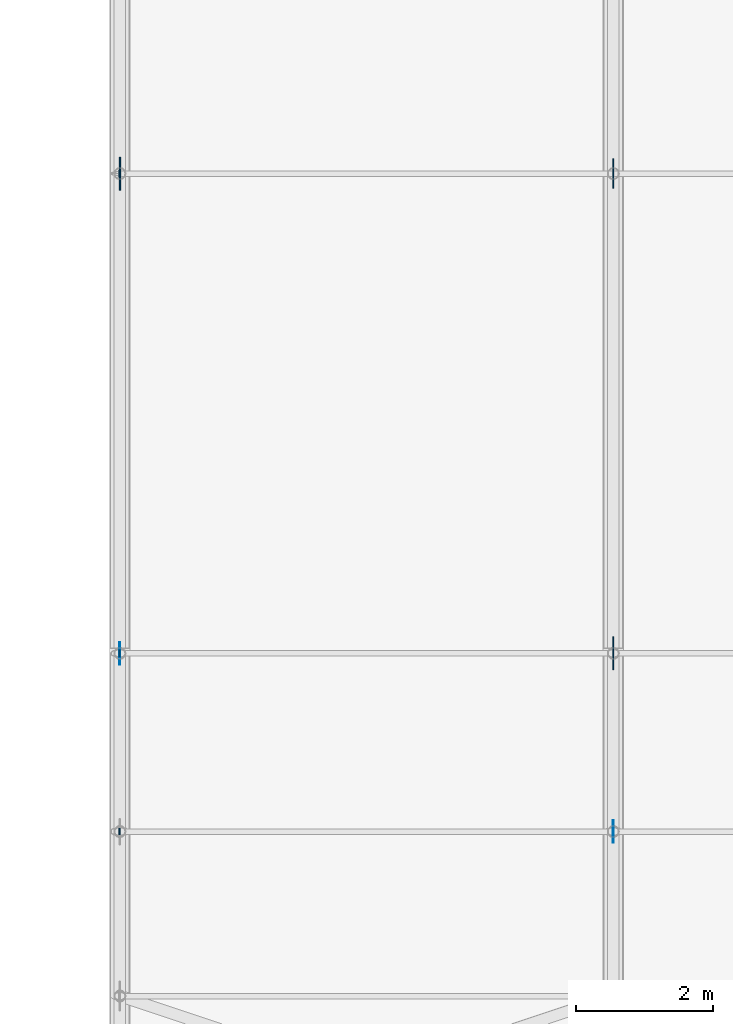
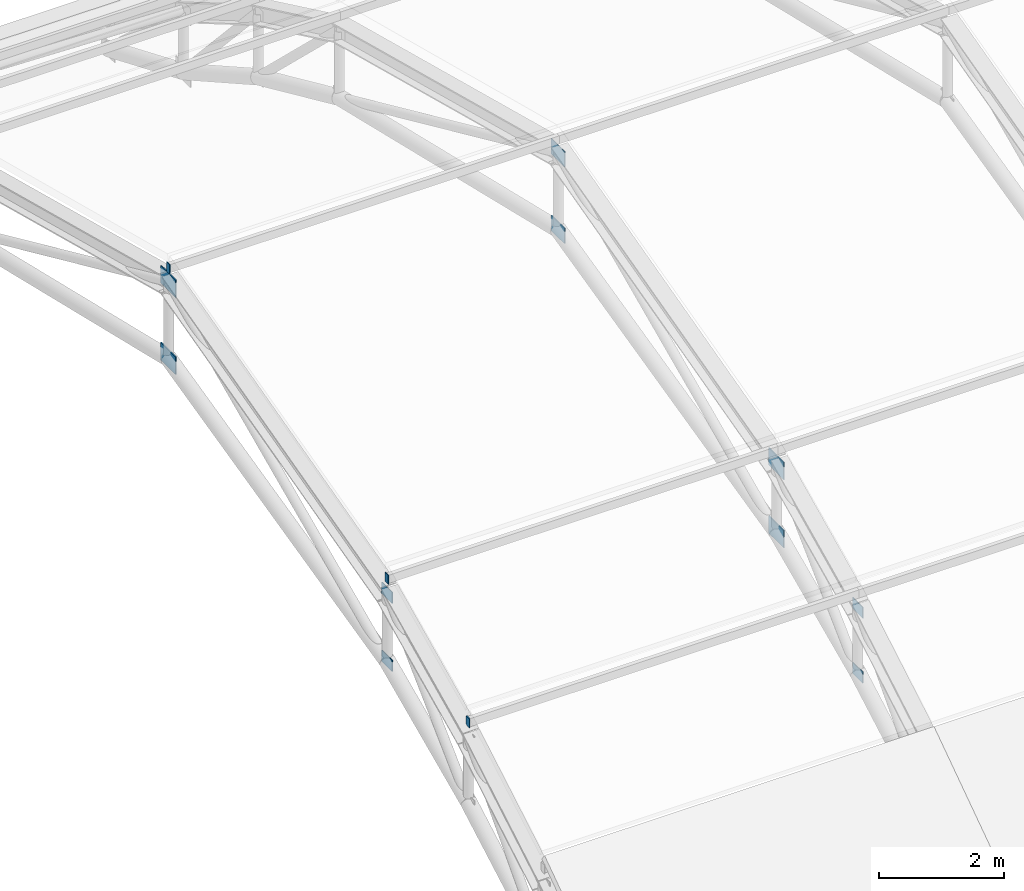
# One storey, part 39 of 63: 13 plates.
"""IFC4 building model written with IfcOpenShell, lengths in metres."""

from ifc_helpers import new_model, si_unit, direction, frame, origin, origin_2d, place, context, subcontext, project, spatial, rectangle, extrude, material, layer, layer_set, type_object, element, save


model = new_model("IFC4")

# Units and contexts
model_context = context("Model", 3, precision=1e-05, world=origin(), true_north=direction((0.0, 1.0)))
body_context = subcontext(model_context, "Body", "Model", "MODEL_VIEW")
ifc_project = project(units=[si_unit("LENGTHUNIT", "METRE"), si_unit("AREAUNIT", "SQUARE_METRE"), si_unit("VOLUMEUNIT", "CUBIC_METRE"), si_unit("PLANEANGLEUNIT", "RADIAN"), si_unit("MASSUNIT", "GRAM", prefix="KILO")], contexts=[model_context])

# Site, building, storey
site_placement = place(None, origin())
site = spatial("IfcSite", under=ifc_project, at=site_placement, CompositionType="ELEMENT")
building_placement = place(site_placement, origin())
building = spatial("IfcBuilding", under=site, at=building_placement, Name="Solvadek Multi-Sports Hall", CompositionType="ELEMENT")
storey_placement = place(building_placement, frame((0.0, 0.0, 19.199951171875)))
storey = spatial("IfcBuildingStorey", under=building, at=storey_placement, Name="RF", CompositionType="ELEMENT", Elevation=19.199951171875)

# Plates
ifc_material = material(Name="Steel E350 (350 MPa)", Category="steel")
ifc_layer_1 = layer(ifc_material, 0.01611328125, Name="Steel E350 (350 MPa)")
ifc_layer_set_1 = layer_set([ifc_layer_1], Name="Steel E350 (350 MPa)")
plate_type_1 = type_object("IfcPlateType", Name="STR-PLT-CAP16", PredefinedType="USERDEFINED", material=ifc_layer_set_1)
for number, where, z_axis, x_axis, name in (
    (1, (21.595947265625, 54.0, -0.97216796875), (0.0, 0.0, 1.0), (1.0, 0.0, 0.0), "V4 Purlin End Cap Plate #33"),
    (2, (21.595947265625, 56.60009765625, 0.25634765625), (0.0, 0.0, 1.0), (1.0, 0.0, 0.0), "V4 Purlin End Cap Plate #34"),
    (3, (21.595947265625, 63.60009765625, 2.080078125), (0.0, 0.0, 1.0), (1.0, 0.0, 0.0), "V4 Purlin End Cap Plate #35"),
):
    element("IfcPlate", number, at=place(storey_placement, frame(where, z_axis=z_axis, x_axis=x_axis)), inside=storey, type_object=plate_type_1, Name=name, ObjectType="BASE_PLATE", PredefinedType="USERDEFINED", context=body_context, shape_type="SweptSolid", body=[
        extrude(rectangle(XDim=0.01611328125, YDim=0.10009765625, at=origin_2d()), origin(), (0.0, 0.0, 1.0), 0.179931640625),
    ])
ifc_layer_2 = layer(ifc_material, 0.013916015625, Name="Steel E350 (350 MPa)")
ifc_layer_set_2 = layer_set([ifc_layer_2], Name="Steel E350 (350 MPa)")
plate_type_2 = type_object("IfcPlateType", Name="STR-PLT-GUS330", PredefinedType="USERDEFINED", material=ifc_layer_set_2)
for number, where, z_axis, x_axis, name in (
    (4, (21.60009765625, 56.60009765625, -0.04736328125), (0.0, 0.0, 1.0), (0.0, 1.0, 0.0), "V4 Truss Top Gusset Plate #157"),
    (5, (21.60009765625, 56.60009765625, -1.376953125), (0.0, 0.0, 1.0), (0.0, 1.0, 0.0), "V4 Truss Bottom Gusset Plate #158"),
    (6, (28.800048828125, 54.0, -1.28515625), (0.0, 0.0, 1.0), (0.0, 1.0, 0.0), "V4 Truss Top Gusset Plate #173"),
    (7, (28.800048828125, 54.0, -2.5517578125), (0.0, 0.0, 1.0), (0.0, 1.0, 0.0), "V4 Truss Bottom Gusset Plate #174"),
):
    element("IfcPlate", number, at=place(storey_placement, frame(where, z_axis=z_axis, x_axis=x_axis)), inside=storey, type_object=plate_type_2, Name=name, ObjectType="GUSSET_PLATE", PredefinedType="USERDEFINED", context=body_context, shape_type="SweptSolid", body=[
        extrude(rectangle(XDim=0.330078125, YDim=0.013916015625, at=origin_2d()), origin(), (0.0, 0.0, 1.0), 0.219970703125),
    ])
ifc_layer_3 = layer(ifc_material, 0.01806640625, Name="Steel E350 (350 MPa)")
ifc_layer_set_3 = layer_set([ifc_layer_3], Name="Steel E350 (350 MPa)")
plate_type_3 = type_object("IfcPlateType", Name="STR-PLT-GUS430", PredefinedType="USERDEFINED", material=ifc_layer_set_3)
for number, where, z_axis, x_axis, name in (
    (8, (28.800048828125, 63.60009765625, 1.75), (0.0, 0.0, 1.0), (0.0, 1.0, 0.0), "V4 Truss Top Gusset Plate #177"),
    (9, (28.800048828125, 63.60009765625, 0.25), (0.0, 0.0, 1.0), (0.0, 1.0, 0.0), "V4 Truss Bottom Gusset Plate #178"),
):
    element("IfcPlate", number, at=place(storey_placement, frame(where, z_axis=z_axis, x_axis=x_axis)), inside=storey, type_object=plate_type_3, Name=name, ObjectType="GUSSET_PLATE", PredefinedType="USERDEFINED", context=body_context, shape_type="SweptSolid", body=[
        extrude(rectangle(XDim=0.429931640625, YDim=0.01806640625, at=origin_2d()), origin(), (0.0, 0.0, 1.0), 0.300048828125),
    ])
ifc_layer_4 = layer(ifc_material, 0.02001953125, Name="Steel E350 (350 MPa)")
ifc_layer_set_4 = layer_set([ifc_layer_4], Name="Steel E350 (350 MPa)")
plate_type_4 = type_object("IfcPlateType", Name="STR-PLT-GUS480", PredefinedType="USERDEFINED", material=ifc_layer_set_4)
for number, where, z_axis, x_axis, name in (
    (10, (21.60009765625, 63.60009765625, 1.72998046875), (0.0, 0.0, 1.0), (0.0, 1.0, 0.0), "V4 Truss Top Gusset Plate #159"),
    (11, (21.60009765625, 63.60009765625, 0.22998046875), (0.0, 0.0, 1.0), (0.0, 1.0, 0.0), "V4 Truss Bottom Gusset Plate #160"),
    (12, (28.800048828125, 56.60009765625, -0.107421875), (0.0, 0.0, 1.0), (0.0, 1.0, 0.0), "V4 Truss Top Gusset Plate #175"),
    (13, (28.800048828125, 56.60009765625, -1.43701171875), (0.0, 0.0, 1.0), (0.0, 1.0, 0.0), "V4 Truss Bottom Gusset Plate #176"),
):
    element("IfcPlate", number, at=place(storey_placement, frame(where, z_axis=z_axis, x_axis=x_axis)), inside=storey, type_object=plate_type_4, Name=name, ObjectType="GUSSET_PLATE", PredefinedType="USERDEFINED", context=body_context, shape_type="SweptSolid", body=[
        extrude(rectangle(XDim=0.47998046875, YDim=0.02001953125, at=origin_2d()), origin(), (0.0, 0.0, 1.0), 0.340087890625),
    ])

save(model, "model.ifc")
